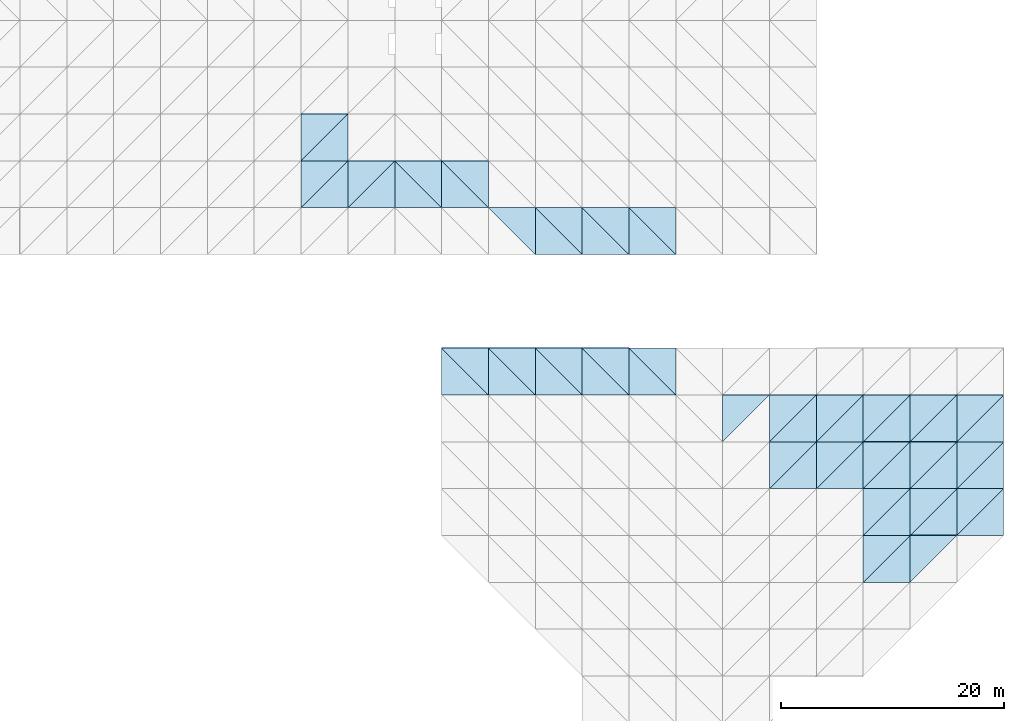
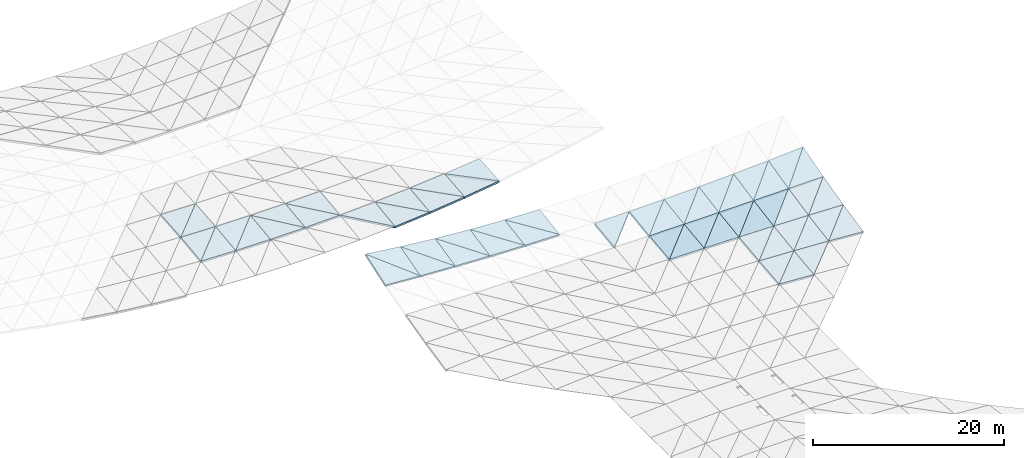
# One storey, part 25 of 64: 57 slabs.
"""IFC4 building model written with IfcOpenShell, lengths in metres."""

from ifc_helpers import new_model, si_unit, direction, frame, origin, place, context, subcontext, project, spatial, polyline, outline, extrude, material, layer, layer_set, type_object, element, save


model = new_model("IFC4")

# Units and contexts
model_context = context("Model", 3, precision=1e-05, world=origin(), true_north=direction((0.0, 1.0)))
body_context = subcontext(model_context, "Body", "Model", "MODEL_VIEW")
ifc_project = project(units=[si_unit("LENGTHUNIT", "METRE"), si_unit("AREAUNIT", "SQUARE_METRE"), si_unit("VOLUMEUNIT", "CUBIC_METRE"), si_unit("PLANEANGLEUNIT", "RADIAN"), si_unit("MASSUNIT", "GRAM", prefix="KILO")], contexts=[model_context])

# Site, building, storey
site_placement = place(None, origin())
site = spatial("IfcSite", under=ifc_project, at=site_placement, CompositionType="ELEMENT")
building_placement = place(site_placement, origin())
building = spatial("IfcBuilding", under=site, at=building_placement, Name="Cumbredor Promenade Congress Hotel", CompositionType="ELEMENT")
storey_placement = place(building_placement, frame((0.0, 0.0, 18.47998046875)))
storey = spatial("IfcBuildingStorey", under=building, at=storey_placement, Name="L05", CompositionType="ELEMENT", Elevation=18.47998046875)

# Slabs
ifc_material = material(Name="Concrete C40/50", Category="concrete")
ifc_layer = layer(ifc_material, 0.25, Name="Concrete C40/50", Category="concrete")
ifc_layer_set = layer_set([ifc_layer], Name="Concrete C40/50")
slab_type = type_object("IfcSlabType", Name="Catenary Space Frame Roof Deck 250mm", PredefinedType="ROOF", material=ifc_layer_set)
slab_1_placement = place(storey_placement, frame((138.60009765625, 67.199951171875, 3.302734375), z_axis=(0.06211809951, -0.31911112182, 0.945679350332), x_axis=(0.997849616578, 0.0, -0.065544966967)))
element("IfcSlab", 1, at=slab_1_placement, inside=storey, type_object=slab_type, Name="Grand Ballroom Pavilion Sweeping Roof Deck Facet 1.17.1", PredefinedType="ROOF", context=body_context, shape_type="SweptSolid", body=[
    extrude(outline(polyline([(0.0, 0.0), (4.20900214029975, 2.7755575615628914e-17), (-0.09289270831139244, 4.431649760600898), (0.0, 0.0)])), origin(), (0.0, 0.0, -1.0), 0.25),
])
slab_2_placement = place(storey_placement, frame((142.800048828125, 67.199951171875, 3.02685546875), z_axis=(0.118242562971, -0.267282671727, 0.956336065249), x_axis=(0.0, 0.963092407715, 0.269170975777)))
element("IfcSlab", 2, at=slab_2_placement, inside=storey, type_object=slab_type, Name="Grand Ballroom Pavilion Sweeping Roof Deck Facet 1.17.2", PredefinedType="ROOF", context=body_context, shape_type="SweptSolid", body=[
    extrude(outline(polyline([(0.0, 0.0), (4.360901548209407, 2.7755575615628914e-17), (4.500678566148418, 4.229623072255176), (0.0, 0.0)])), origin(), (0.0, 0.0, -1.0), 0.25),
])
slab_3_placement = place(storey_placement, frame((142.800048828125, 67.199951171875, 3.02685546875), z_axis=(0.051660124766, -0.268811558307, 0.961806413801), x_axis=(0.998560647635, 0.0, -0.053634252073)))
element("IfcSlab", 3, at=slab_3_placement, inside=storey, type_object=slab_type, Name="Grand Ballroom Pavilion Sweeping Roof Deck Facet 2.17.1", PredefinedType="ROOF", context=body_context, shape_type="SweptSolid", body=[
    extrude(outline(polyline([(0.0, 0.0), (4.206005095257487, -6.938893903907228e-18), (-0.0629573935468049, 4.360447073382843), (0.0, 0.0)])), origin(), (0.0, 0.0, -1.0), 0.25),
])
slab_4_placement = place(storey_placement, frame((147.0, 67.199951171875, 2.80126953125), z_axis=(0.098109442037, -0.224902230425, 0.969429483837), x_axis=(0.0, 0.974129041372, 0.225992501547)))
element("IfcSlab", 4, at=slab_4_placement, inside=storey, type_object=slab_type, Name="Grand Ballroom Pavilion Sweeping Roof Deck Facet 2.17.2", PredefinedType="ROOF", context=body_context, shape_type="SweptSolid", body=[
    extrude(outline(polyline([(0.0, 0.0), (4.311493645605063, 1.3877787807814457e-17), (4.407551493552724, 4.220311510098785), (0.0, 0.0)])), origin(), (0.0, 0.0, -1.0), 0.25),
])
slab_5_placement = place(storey_placement, frame((147.0, 67.199951171875, 2.80126953125), z_axis=(0.040680056233, -0.225805430357, 0.973322680639), x_axis=(0.999127730104, 0.0, -0.041758579198)))
element("IfcSlab", 5, at=slab_5_placement, inside=storey, type_object=slab_type, Name="Grand Ballroom Pavilion Sweeping Roof Deck Facet 3.17.1", PredefinedType="ROOF", context=body_context, shape_type="SweptSolid", body=[
    extrude(outline(polyline([(0.0, 0.0), (4.203617861188373, 6.938893903907228e-18), (-0.04068810780752778, 4.311301651934817), (0.0, 0.0)])), origin(), (0.0, 0.0, -1.0), 0.25),
])
slab_6_placement = place(storey_placement, frame((151.199951171875, 67.199951171875, 2.625732421875), z_axis=(0.077021475836, -0.190904042029, 0.978582310793), x_axis=(0.0, 0.98149791513, 0.191472824692)))
element("IfcSlab", 6, at=slab_6_placement, inside=storey, type_object=slab_type, Name="Grand Ballroom Pavilion Sweeping Roof Deck Facet 3.17.2", PredefinedType="ROOF", context=body_context, shape_type="SweptSolid", body=[
    extrude(outline(polyline([(0.0, 0.0), (4.279123885167755, 0.0), (4.34241836872072, 4.212464575925474), (0.0, 0.0)])), origin(), (0.0, 0.0, -1.0), 0.25),
])
slab_7_placement = place(storey_placement, frame((151.199951171875, 67.199951171875, 2.625732421875), z_axis=(0.029313092974, -0.191390544791, 0.981076144825), x_axis=(0.99955393597, 0.0, -0.029865181834)))
element("IfcSlab", 7, at=slab_7_placement, inside=storey, type_object=slab_type, Name="Grand Ballroom Pavilion Sweeping Roof Deck Facet 4.17.1", PredefinedType="ROOF", context=body_context, shape_type="SweptSolid", body=[
    extrude(outline(polyline([(0.0, 0.0), (4.201825455068936, 0.0), (-0.024469616756497472, 4.279053921425738), (0.0, 0.0)])), origin(), (0.0, 0.0, -1.0), 0.25),
])
slab_8_placement = place(storey_placement, frame((155.39990234375, 67.199951171875, 2.500244140625), z_axis=(0.055342530466, -0.166142053717, 0.984547623179), x_axis=(0.0, 0.986058829557, 0.166397069244)))
element("IfcSlab", 8, at=slab_8_placement, inside=storey, type_object=slab_type, Name="Grand Ballroom Pavilion Sweeping Roof Deck Facet 4.17.2", PredefinedType="ROOF", context=body_context, shape_type="SweptSolid", body=[
    extrude(outline(polyline([(0.0, 0.0), (4.259331234590252, 6.938893903907228e-18), (4.2986149176856845, 4.206397780293135), (0.0, 0.0)])), origin(), (0.0, 0.0, -1.0), 0.25),
])
slab_9_placement = place(storey_placement, frame((155.39990234375, 67.199951171875, 2.500244140625), z_axis=(0.017650477076, -0.166371147608, 0.985905219533), x_axis=(0.99983978315, 0.0, -0.017899944967)))
element("IfcSlab", 9, at=slab_9_placement, inside=storey, type_object=slab_type, Name="Grand Ballroom Pavilion Sweeping Roof Deck Facet 5.17.1", PredefinedType="ROOF", context=body_context, shape_type="SweptSolid", body=[
    extrude(outline(polyline([(0.0, 0.0), (4.200868362394726, -1.734723475976807e-18), (-0.012686411191130705, 4.259312341320745), (0.0, 0.0)])), origin(), (0.0, 0.0, -1.0), 0.25),
])
slab_10_placement = place(storey_placement, frame((159.60009765625, 67.199951171875, 2.425048828125), z_axis=(0.033364758538, -0.151040302528, 0.987964381898), x_axis=(0.0, 0.988514745931, 0.151124442353)))
element("IfcSlab", 10, at=slab_10_placement, inside=storey, type_object=slab_type, Name="Grand Ballroom Pavilion Sweeping Roof Deck Facet 5.17.2", PredefinedType="ROOF", context=body_context, shape_type="SweptSolid", body=[
    extrude(outline(polyline([(0.0, 0.0), (4.248749135166854, 0.0), (4.270185487951792, 4.202535109838022), (0.0, 0.0)])), origin(), (0.0, 0.0, -1.0), 0.25),
])
slab_11_placement = place(storey_placement, frame((163.800048828125, 63.0, 1.857421875), z_axis=(-0.005937895527, -0.128097124871, 0.991743852008), x_axis=(0.703899772334, 0.703899772334, 0.095132649577)))
element("IfcSlab", 11, at=slab_11_placement, inside=storey, type_object=slab_type, Name="Grand Ballroom Pavilion Sweeping Roof Deck Facet 7.16.2", PredefinedType="ROOF", context=body_context, shape_type="SweptSolid", body=[
    extrude(outline(polyline([(0.0, 0.0), (5.966689203417784, 4.996003610813204e-16), (3.007952278033862, 2.9809558866545327), (0.0, 0.0)])), origin(), (0.0, 0.0, -1.0), 0.25),
])
slab_12_placement = place(storey_placement, frame((168.0, 58.800048828125, 1.38134765625), z_axis=(0.007727477115, -0.125542669251, 0.992058125462), x_axis=(0.999969664479, 0.0, -0.007789102775)))
element("IfcSlab", 12, at=slab_12_placement, inside=storey, type_object=slab_type, Name="Grand Ballroom Pavilion Sweeping Roof Deck Facet 8.15.1", PredefinedType="ROOF", context=body_context, shape_type="SweptSolid", body=[
    extrude(outline(polyline([(0.0, 0.0), (4.200078583447668, 0.0), (4.195938720961974, 4.233445255249145), (0.0, 0.0)])), origin(), (0.0, 0.0, -1.0), 0.25),
])
slab_13_placement = place(storey_placement, frame((168.0, 58.800048828125, 1.38134765625), z_axis=(-0.004042524387, -0.113941437366, 0.99347924329), x_axis=(0.704626711716, 0.704626711716, 0.083680309948)))
element("IfcSlab", 13, at=slab_13_placement, inside=storey, type_object=slab_type, Name="Grand Ballroom Pavilion Sweeping Roof Deck Facet 8.15.2", PredefinedType="ROOF", context=body_context, shape_type="SweptSolid", body=[
    extrude(outline(polyline([(0.0, 0.0), (5.96053357336904, 4.85722573273506e-17), (2.9997057063416306, 2.978821956869445), (0.0, 0.0)])), origin(), (0.0, 0.0, -1.0), 0.25),
])
slab_14_placement = place(storey_placement, frame((168.0, 63.0, 1.863037109375), z_axis=(-0.004025384366, -0.146063947006, 0.989266960767), x_axis=(0.999991721487, 0.0, 0.004069024037)))
element("IfcSlab", 14, at=slab_14_placement, inside=storey, type_object=slab_type, Name="Grand Ballroom Pavilion Sweeping Roof Deck Facet 8.16.1", PredefinedType="ROOF", context=body_context, shape_type="SweptSolid", body=[
    extrude(outline(polyline([(0.0, 0.0), (4.1999859415114225, 0.0), (4.2025092132529585, 4.24548334179594), (0.0, 0.0)])), origin(), (0.0, 0.0, -1.0), 0.25),
])
slab_15_placement = place(storey_placement, frame((168.0, 63.0, 1.863037109375), z_axis=(-0.017742887004, -0.132610798325, 0.991009367326), x_axis=(0.703072478188, 0.703072478188, 0.106668555954)))
element("IfcSlab", 15, at=slab_15_placement, inside=storey, type_object=slab_type, Name="Grand Ballroom Pavilion Sweeping Roof Deck Facet 8.16.2", PredefinedType="ROOF", context=body_context, shape_type="SweptSolid", body=[
    extrude(outline(polyline([(0.0, 0.0), (5.973710111224247, -3.5388358909926865e-16), (3.0128190571467397, 2.97965909913197), (0.0, 0.0)])), origin(), (0.0, 0.0, -1.0), 0.25),
])
slab_16_placement = place(storey_placement, frame((172.199951171875, 58.800048828125, 1.3486328125), z_axis=(0.012825240402, -0.144758430906, 0.9893839042), x_axis=(0.999915992778, 0.0, -0.012961766342)))
element("IfcSlab", 16, at=slab_16_placement, inside=storey, type_object=slab_type, Name="Grand Ballroom Pavilion Sweeping Roof Deck Facet 9.15.1", PredefinedType="ROOF", context=body_context, shape_type="SweptSolid", body=[
    extrude(outline(polyline([(0.0, 0.0), (4.20030402774778, 0.0), (4.1923389970143825, 4.244660063516752), (0.0, 0.0)])), origin(), (0.0, 0.0, -1.0), 0.25),
])
slab_17_placement = place(storey_placement, frame((172.199951171875, 58.800048828125, 1.3486328125), z_axis=(-0.006747173413, -0.125543559999, 0.992065164288), x_axis=(0.703984160559, 0.703984160559, 0.093875467321)))
element("IfcSlab", 17, at=slab_17_placement, inside=storey, type_object=slab_type, Name="Grand Ballroom Pavilion Sweeping Roof Deck Facet 9.15.2", PredefinedType="ROOF", context=body_context, shape_type="SweptSolid", body=[
    extrude(outline(polyline([(0.0, 0.0), (5.965973962455887, -1.942890293094024e-16), (3.0065933609497577, 2.9803476692402406), (0.0, 0.0)])), origin(), (0.0, 0.0, -1.0), 0.25),
])
slab_18_placement = place(storey_placement, frame((172.199951171875, 63.0, 1.880126953125), z_axis=(-0.006703986431, -0.168287249121, 0.98571520144), x_axis=(0.999976873054, 0.0, 0.006800982047)))
element("IfcSlab", 18, at=slab_18_placement, inside=storey, type_object=slab_type, Name="Grand Ballroom Pavilion Sweeping Roof Deck Facet 9.16.1", PredefinedType="ROOF", context=body_context, shape_type="SweptSolid", body=[
    extrude(outline(polyline([(0.0, 0.0), (4.200048306164646, -8.673617379884035e-19), (4.204924889238574, 4.260717531491642), (0.0, 0.0)])), origin(), (0.0, 0.0, -1.0), 0.25),
])
slab_19_placement = place(storey_placement, frame((172.199951171875, 63.0, 1.880126953125), z_axis=(-0.029545158149, -0.14600136517, 0.988843104339), x_axis=(0.701600495916, 0.701600495916, 0.124553154364)))
element("IfcSlab", 19, at=slab_19_placement, inside=storey, type_object=slab_type, Name="Grand Ballroom Pavilion Sweeping Roof Deck Facet 9.16.2", PredefinedType="ROOF", context=body_context, shape_type="SweptSolid", body=[
    extrude(outline(polyline([(0.0, 0.0), (5.98624316306131, 5.551115123125783e-17), (3.0239253767872136, 2.979934644919147), (0.0, 0.0)])), origin(), (0.0, 0.0, -1.0), 0.25),
])
slab_20_placement = place(storey_placement, frame((176.39990234375, 50.39990234375, 0.372314453125), z_axis=(0.059193687169, -0.115044400769, 0.991595125669), x_axis=(0.998222976403, 0.0, -0.0595893395)))
element("IfcSlab", 20, at=slab_20_placement, inside=storey, type_object=slab_type, Name="Grand Ballroom Pavilion Sweeping Roof Deck Facet 10.13.1", PredefinedType="ROOF", context=body_context, shape_type="SweptSolid", body=[
    extrude(outline(polyline([(0.0, 0.0), (4.20767244572653, -3.469446951953614e-18), (4.178634281262942, 4.228269540439803), (0.0, 0.0)])), origin(), (0.0, 0.0, -1.0), 0.25),
])
slab_21_placement = place(storey_placement, frame((176.39990234375, 50.39990234375, 0.372314453125), z_axis=(0.040982249468, -0.096993250503, 0.994440930667), x_axis=(0.706546640121, 0.706546640121, 0.039795611153)))
element("IfcSlab", 21, at=slab_21_placement, inside=storey, type_object=slab_type, Name="Grand Ballroom Pavilion Sweeping Roof Deck Facet 10.13.2", PredefinedType="ROOF", context=body_context, shape_type="SweptSolid", body=[
    extrude(outline(polyline([(0.0, 0.0), (5.944682309691317, 1.3530843112619095e-16), (2.9839368730856948, 2.9842233906338667), (0.0, 0.0)])), origin(), (0.0, 0.0, -1.0), 0.25),
])
slab_22_placement = place(storey_placement, frame((176.39990234375, 54.60009765625, 0.781982421875), z_axis=(0.040751093511, -0.143355620727, 0.988831893895), x_axis=(0.999151892623, 0.0, -0.041176394552)))
element("IfcSlab", 22, at=slab_22_placement, inside=storey, type_object=slab_type, Name="Grand Ballroom Pavilion Sweeping Roof Deck Facet 10.14.1", PredefinedType="ROOF", context=body_context, shape_type="SweptSolid", body=[
    extrude(outline(polyline([(0.0, 0.0), (4.203760552836866, 6.938893903907228e-18), (4.178688793068251, 4.243784194473894), (0.0, 0.0)])), origin(), (0.0, 0.0, -1.0), 0.25),
])
slab_23_placement = place(storey_placement, frame((176.39990234375, 54.60009765625, 0.781982421875), z_axis=(0.018056692985, -0.121038798704, 0.992483533892), x_axis=(0.705231798689, 0.705190806374, 0.073171283461)))
element("IfcSlab", 23, at=slab_23_placement, inside=storey, type_object=slab_type, Name="Grand Ballroom Pavilion Sweeping Roof Deck Facet 10.14.2", PredefinedType="ROOF", context=body_context, shape_type="SweptSolid", body=[
    extrude(outline(polyline([(0.0, 0.0), (5.955765636639897, 1.1796119636642288e-16), (2.9992457994990325, 2.9843710431485446), (0.0, 0.0)])), origin(), (0.0, 0.0, -1.0), 0.25),
])
slab_24_placement = place(storey_placement, frame((176.39990234375, 58.800048828125, 1.294189453125), z_axis=(0.017921133264, -0.171434479157, 0.985032513341), x_axis=(0.999834540383, 0.0, -0.018190433105)))
element("IfcSlab", 24, at=slab_24_placement, inside=storey, type_object=slab_type, Name="Grand Ballroom Pavilion Sweeping Roof Deck Facet 10.15.1", PredefinedType="ROOF", context=body_context, shape_type="SweptSolid", body=[
    extrude(outline(polyline([(0.0, 0.0), (4.200890390213838, 3.469446951953614e-18), (4.18759396523419, 4.2630635970802455), (0.0, 0.0)])), origin(), (0.0, 0.0, -1.0), 0.25),
])
slab_25_placement = place(storey_placement, frame((176.39990234375, 58.800048828125, 1.294189453125), z_axis=(-0.009431823337, -0.144763898323, 0.989421272488), x_axis=(0.702872678442, 0.702831823253, 0.109532762782)))
element("IfcSlab", 25, at=slab_25_placement, inside=storey, type_object=slab_type, Name="Grand Ballroom Pavilion Sweeping Roof Deck Facet 10.15.2", PredefinedType="ROOF", context=body_context, shape_type="SweptSolid", body=[
    extrude(outline(polyline([(0.0, 0.0), (5.975755554774357, 6.036837696399289e-16), (3.019167436362351, 2.9835935527041575), (0.0, 0.0)])), origin(), (0.0, 0.0, -1.0), 0.25),
])
slab_26_placement = place(storey_placement, frame((176.39990234375, 63.0, 1.90869140625), z_axis=(-0.009341734827, -0.1989221602, 0.979970768019), x_axis=(0.999954567228, 0.0, 0.009532233726)))
element("IfcSlab", 26, at=slab_26_placement, inside=storey, type_object=slab_type, Name="Grand Ballroom Pavilion Sweeping Roof Deck Facet 10.16.1", PredefinedType="ROOF", context=body_context, shape_type="SweptSolid", body=[
    extrude(outline(polyline([(0.0, 0.0), (4.20038614768605, 0.0), (4.208512749290508, 4.285597584651285), (0.0, 0.0)])), origin(), (0.0, 0.0, -1.0), 0.25),
])
slab_27_placement = place(storey_placement, frame((176.39990234375, 63.0, 1.90869140625), z_axis=(-0.041161619171, -0.168148404543, 0.984901941899), x_axis=(0.699276128643, 0.699235482506, 0.148602274257)))
element("IfcSlab", 27, at=slab_27_placement, inside=storey, type_object=slab_type, Name="Grand Ballroom Pavilion Sweeping Roof Deck Facet 10.16.2", PredefinedType="ROOF", context=body_context, shape_type="SweptSolid", body=[
    extrude(outline(polyline([(0.0, 0.0), (6.006490341165102, 0.0), (3.0433088098270504, 2.9819472081597582), (0.0, 0.0)])), origin(), (0.0, 0.0, -1.0), 0.25),
])
slab_28_placement = place(storey_placement, frame((180.60009765625, 50.39990234375, 0.12158203125), z_axis=(0.052645408579, -0.115086667719, 0.991959434588), x_axis=(0.7063867246, 0.706427786433, 0.044469965863)))
element("IfcSlab", 28, at=slab_28_placement, inside=storey, type_object=slab_type, Name="Grand Ballroom Pavilion Sweeping Roof Deck Facet 11.13.2", PredefinedType="ROOF", context=body_context, shape_type="SweptSolid", body=[
    extrude(outline(polyline([(0.0, 0.0), (5.9456824790336, -2.7755575615628914e-17), (2.9888051000156484, 2.9910116341677613), (0.0, 0.0)])), origin(), (0.0, 0.0, -1.0), 0.25),
])
slab_29_placement = place(storey_placement, frame((180.60009765625, 54.60009765625, 0.60888671875), z_axis=(0.052209220159, -0.17183867095, 0.983740651034), x_axis=(0.99859464216, 0.0, -0.052997553234)))
element("IfcSlab", 29, at=slab_29_placement, inside=storey, type_object=slab_type, Name="Grand Ballroom Pavilion Sweeping Roof Deck Facet 11.14.1", PredefinedType="ROOF", context=body_context, shape_type="SweptSolid", body=[
    extrude(outline(polyline([(0.0, 0.0), (4.205861912887175, 0.0), (4.1669806512979335, 4.263368331034666), (0.0, 0.0)])), origin(), (0.0, 0.0, -1.0), 0.25),
])
slab_30_placement = place(storey_placement, frame((180.60009765625, 54.60009765625, 0.60888671875), z_axis=(0.023120069261, -0.143436449594, 0.989389431582), x_axis=(0.704506982586, 0.704506982586, 0.085672766818)))
element("IfcSlab", 30, at=slab_30_placement, inside=storey, type_object=slab_type, Name="Grand Ballroom Pavilion Sweeping Roof Deck Facet 11.14.2", PredefinedType="ROOF", context=body_context, shape_type="SweptSolid", body=[
    extrude(outline(polyline([(0.0, 0.0), (5.961546550548831, -4.787836793695988e-16), (3.0110599369815705, 2.9906271814301544), (0.0, 0.0)])), origin(), (0.0, 0.0, -1.0), 0.25),
])
slab_31_placement = place(storey_placement, frame((180.60009765625, 58.800048828125, 1.2177734375), z_axis=(0.022864983698, -0.205102316459, 0.978473419314), x_axis=(0.999727079655, 0.0, -0.023361639599)))
element("IfcSlab", 31, at=slab_31_placement, inside=storey, type_object=slab_type, Name="Grand Ballroom Pavilion Sweeping Roof Deck Facet 11.15.1", PredefinedType="ROOF", context=body_context, shape_type="SweptSolid", body=[
    extrude(outline(polyline([(0.0, 0.0), (4.2010977369193006, -3.469446951953614e-18), (4.1805308247137525, 4.291179338010367), (0.0, 0.0)])), origin(), (0.0, 0.0, -1.0), 0.25),
])
slab_32_placement = place(storey_placement, frame((180.60009765625, 58.800048828125, 1.2177734375), z_axis=(-0.012025524242, -0.171449617054, 0.985119493046), x_axis=(0.701053417088, 0.701053417088, 0.130568804764)))
element("IfcSlab", 32, at=slab_32_placement, inside=storey, type_object=slab_type, Name="Grand Ballroom Pavilion Sweeping Roof Deck Facet 11.15.2", PredefinedType="ROOF", context=body_context, shape_type="SweptSolid", body=[
    extrude(outline(polyline([(0.0, 0.0), (5.990914628614645, -2.7755575615628914e-17), (3.03983030655126, 2.9888659613707125), (0.0, 0.0)])), origin(), (0.0, 0.0, -1.0), 0.25),
])
slab_33_placement = place(storey_placement, frame((180.60009765625, 63.0, 1.94873046875), z_axis=(-0.011857071565, -0.237480204781, 0.971320010188), x_axis=(0.999925500788, 0.0, 0.012206263743)))
element("IfcSlab", 33, at=slab_33_placement, inside=storey, type_object=slab_type, Name="Grand Ballroom Pavilion Sweeping Roof Deck Facet 11.16.1", PredefinedType="ROOF", context=body_context, shape_type="SweptSolid", body=[
    extrude(outline(polyline([(0.0, 0.0), (4.200264088241212, 0.0), (4.212798156918393, 4.323640236763272), (0.0, 0.0)])), origin(), (0.0, 0.0, -1.0), 0.25),
])
slab_34_placement = place(storey_placement, frame((180.60009765625, 63.0, 1.94873046875), z_axis=(-0.052565284808, -0.198655816612, 0.978658652115), x_axis=(0.695738314887, 0.695738314887, 0.178595616959)))
element("IfcSlab", 34, at=slab_34_placement, inside=storey, type_object=slab_type, Name="Grand Ballroom Pavilion Sweeping Roof Deck Facet 11.16.2", PredefinedType="ROOF", context=body_context, shape_type="SweptSolid", body=[
    extrude(outline(polyline([(0.0, 0.0), (6.036682301388186, -2.220446049250313e-16), (3.0743266907758686, 2.9857876846161817), (0.0, 0.0)])), origin(), (0.0, 0.0, -1.0), 0.25),
])
slab_35_placement = place(storey_placement, frame((184.800048828125, 54.60009765625, 0.385986328125), z_axis=(0.063292145756, -0.205940721797, 0.976515500845), x_axis=(0.997906149499, 0.0, -0.064678565174)))
element("IfcSlab", 35, at=slab_35_placement, inside=storey, type_object=slab_type, Name="Grand Ballroom Pavilion Sweeping Roof Deck Facet 12.14.1", PredefinedType="ROOF", context=body_context, shape_type="SweptSolid", body=[
    extrude(outline(polyline([(0.0, 0.0), (4.208763693845863, 6.938893903907228e-18), (4.151475160044152, 4.291951431778594), (0.0, 0.0)])), origin(), (0.0, 0.0, -1.0), 0.25),
])
slab_36_placement = place(storey_placement, frame((184.800048828125, 54.60009765625, 0.385986328125), z_axis=(0.028161900128, -0.172005101393, 0.984693430706), x_axis=(0.703364441624, 0.703364441624, 0.102746895414)))
element("IfcSlab", 36, at=slab_36_placement, inside=storey, type_object=slab_type, Name="Grand Ballroom Pavilion Sweeping Roof Deck Facet 12.14.2", PredefinedType="ROOF", context=body_context, shape_type="SweptSolid", body=[
    extrude(outline(polyline([(0.0, 0.0), (5.971230450854324, 1.3877787807814457e-17), (3.0294758081007083, 3.0000162677400013), (0.0, 0.0)])), origin(), (0.0, 0.0, -1.0), 0.25),
])
slab_37_placement = place(storey_placement, frame((184.800048828125, 58.800048828125, 1.11962890625), z_axis=(0.027714787529, -0.245264603454, 0.969059938727), x_axis=(0.999591280357, 0.0, -0.028587973606)))
element("IfcSlab", 37, at=slab_37_placement, inside=storey, type_object=slab_type, Name="Grand Ballroom Pavilion Sweeping Roof Deck Facet 12.15.1", PredefinedType="ROOF", context=body_context, shape_type="SweptSolid", body=[
    extrude(outline(polyline([(0.0, 0.0), (4.2016684763159375, 0.0), (4.171279795388602, 4.332275436797678), (0.0, 0.0)])), origin(), (0.0, 0.0, -1.0), 0.25),
])
slab_38_placement = place(storey_placement, frame((184.800048828125, 58.800048828125, 1.11962890625), z_axis=(-0.014563048847, -0.205134195867, 0.978625505132), x_axis=(0.698362450315, 0.698362450315, 0.156779386335)))
element("IfcSlab", 38, at=slab_38_placement, inside=storey, type_object=slab_type, Name="Grand Ballroom Pavilion Sweeping Roof Deck Facet 12.15.2", PredefinedType="ROOF", context=body_context, shape_type="SweptSolid", body=[
    extrude(outline(polyline([(0.0, 0.0), (6.013999134660538, -2.7755575615628914e-17), (3.0711122314198107, 2.9971507754646565), (0.0, 0.0)])), origin(), (0.0, 0.0, -1.0), 0.25),
])
slab_39_placement = place(storey_placement, frame((184.800048828125, 63.0, 2.0), z_axis=(-0.014270419039, -0.283178627796, 0.958961010626), x_axis=(0.99988929444, 0.0, 0.014879477962)))
element("IfcSlab", 39, at=slab_39_placement, inside=storey, type_object=slab_type, Name="Grand Ballroom Pavilion Sweeping Roof Deck Facet 12.16.1", PredefinedType="ROOF", context=body_context, shape_type="SweptSolid", body=[
    extrude(outline(polyline([(0.0, 0.0), (4.200416181300871, 0.0), (4.218870221351135, 4.379204334062485), (0.0, 0.0)])), origin(), (0.0, 0.0, -1.0), 0.25),
])
slab_40_placement = place(storey_placement, frame((184.800048828125, 63.0, 2.0), z_axis=(-0.063677329507, -0.237014909652, 0.96941690222), x_axis=(0.69068899424, 0.69068899424, 0.21423684667)))
element("IfcSlab", 40, at=slab_40_placement, inside=storey, type_object=slab_type, Name="Grand Ballroom Pavilion Sweeping Roof Deck Facet 12.16.2", PredefinedType="ROOF", context=body_context, shape_type="SweptSolid", body=[
    extrude(outline(polyline([(0.0, 0.0), (6.080813806068643, -3.0531133177191805e-16), (3.1208503283708873, 2.99237618419598), (0.0, 0.0)])), origin(), (0.0, 0.0, -1.0), 0.25),
])
slab_41_placement = place(storey_placement, frame((126.0, 84.0, 0.57275390625), z_axis=(0.029866324427, -0.123674258485, 0.991873318753), x_axis=(0.999546971061, 0.0, -0.03009738598)))
element("IfcSlab", 41, at=slab_41_placement, inside=storey, type_object=slab_type, Name="Pre-Function and Breakout Meeting Forum Sweeping Roof Deck Facet 10.2.1", PredefinedType="ROOF", context=body_context, shape_type="SweptSolid", body=[
    extrude(outline(polyline([(0.0, 0.0), (4.201854733666896, 0.0), (4.186093285198498, 4.232444197340829), (0.0, 0.0)])), origin(), (0.0, 0.0, -1.0), 0.25),
])
slab_42_placement = place(storey_placement, frame((126.0, 84.0, 0.57275390625), z_axis=(0.024006166462, -0.117895668464, 0.992735773169), x_axis=(0.70553084737, 0.70553084737, 0.066726657482)))
element("IfcSlab", 42, at=slab_42_placement, inside=storey, type_object=slab_type, Name="Pre-Function and Breakout Meeting Forum Sweeping Roof Deck Facet 10.2.2", PredefinedType="ROOF", context=body_context, shape_type="SweptSolid", body=[
    extrude(outline(polyline([(0.0, 0.0), (5.952895167562421, 1.457167719820518e-16), (2.996476984507455, 2.9848779396220575), (0.0, 0.0)])), origin(), (0.0, 0.0, -1.0), 0.25),
])
slab_43_placement = place(storey_placement, frame((126.0, 88.199951171875, 1.071533203125), z_axis=(0.02407952249, -0.088677472246, 0.99576929181), x_axis=(0.999707747746, 0.0, -0.024174761557)))
element("IfcSlab", 43, at=slab_43_placement, inside=storey, type_object=slab_type, Name="Pre-Function and Breakout Meeting Forum Sweeping Roof Deck Facet 10.3.1", PredefinedType="ROOF", context=body_context, shape_type="SweptSolid", body=[
    extrude(outline(polyline([(0.0, 0.0), (4.2011789758995555, -1.734723475976807e-18), (4.192137048481322, 4.216562773335891), (0.0, 0.0)])), origin(), (0.0, 0.0, -1.0), 0.25),
])
slab_44_placement = place(storey_placement, frame((126.0, 88.199951171875, 1.071533203125), z_axis=(0.019863140669, -0.084490735382, 0.996226265101), x_axis=(0.706364001027, 0.706364001027, 0.045823532241)))
element("IfcSlab", 44, at=slab_44_placement, inside=storey, type_object=slab_type, Name="Pre-Function and Breakout Meeting Forum Sweeping Roof Deck Facet 10.3.2", PredefinedType="ROOF", context=body_context, shape_type="SweptSolid", body=[
    extrude(outline(polyline([(0.0, 0.0), (5.945873750318935, -2.255140518769849e-16), (2.983016709766241, 2.9779322407057385), (0.0, 0.0)])), origin(), (0.0, 0.0, -1.0), 0.25),
])
slab_45_placement = place(storey_placement, frame((130.199951171875, 84.0, 0.4462890625), z_axis=(0.009976175841, -0.125653682986, 0.992024005691), x_axis=(0.99994943839, 0.0, -0.010055877047)))
element("IfcSlab", 45, at=slab_45_placement, inside=storey, type_object=slab_type, Name="Pre-Function and Breakout Meeting Forum Sweeping Roof Deck Facet 11.2.1", PredefinedType="ROOF", context=body_context, shape_type="SweptSolid", body=[
    extrude(outline(polyline([(0.0, 0.0), (4.200163538905083, -8.673617379884035e-19), (4.194813989079482, 4.233505229196586), (0.0, 0.0)])), origin(), (0.0, 0.0, -1.0), 0.25),
])
slab_46_placement = place(storey_placement, frame((130.199951171875, 84.0, 0.4462890625), z_axis=(0.008017641638, -0.12372547708, 0.992284094271), x_axis=(0.704715278385, 0.704715278385, 0.08217513506)))
element("IfcSlab", 46, at=slab_46_placement, inside=storey, type_object=slab_type, Name="Pre-Function and Breakout Meeting Forum Sweeping Roof Deck Facet 11.2.2", PredefinedType="ROOF", context=body_context, shape_type="SweptSolid", body=[
    extrude(outline(polyline([(0.0, 0.0), (5.959784469979747, 3.0531133177191805e-16), (3.0028033688372116, 2.9827846444156463), (0.0, 0.0)])), origin(), (0.0, 0.0, -1.0), 0.25),
])
slab_47_placement = place(storey_placement, frame((134.39990234375, 84.0, 0.404052734375), z_axis=(-0.009975596023, -0.125653683712, 0.99202401143), x_axis=(0.999949444267, 0.0, 0.010055292598)))
element("IfcSlab", 47, at=slab_47_placement, inside=storey, type_object=slab_type, Name="Pre-Function and Breakout Meeting Forum Sweeping Roof Deck Facet 12.2.1", PredefinedType="ROOF", context=body_context, shape_type="SweptSolid", body=[
    extrude(outline(polyline([(0.0, 0.0), (4.200407667186657, 0.0), (0.005349238909016163, 4.233505229589456), (0.0, 0.0)])), origin(), (0.0, 0.0, -1.0), 0.25),
])
slab_48_placement = place(storey_placement, frame((138.60009765625, 84.0, 0.4462890625), z_axis=(-0.008017175635, -0.123725477543, 0.992284097979), x_axis=(0.0, 0.992315989099, 0.123729453968)))
element("IfcSlab", 48, at=slab_48_placement, inside=storey, type_object=slab_type, Name="Pre-Function and Breakout Meeting Forum Sweeping Roof Deck Facet 12.2.2", PredefinedType="ROOF", context=body_context, shape_type="SweptSolid", body=[
    extrude(outline(polyline([(0.0, 0.0), (4.232473544732664, -8.673617379884035e-19), (4.228274718047705, 4.200330303005127), (0.0, 0.0)])), origin(), (0.0, 0.0, -1.0), 0.25),
])
slab_49_placement = place(storey_placement, frame((138.60009765625, 84.0, 0.4462890625), z_axis=(-0.029866324427, -0.123674258485, 0.991873318753), x_axis=(0.999546971061, 0.0, 0.03009738598)))
element("IfcSlab", 49, at=slab_49_placement, inside=storey, type_object=slab_type, Name="Pre-Function and Breakout Meeting Forum Sweeping Roof Deck Facet 13.2.1", PredefinedType="ROOF", context=body_context, shape_type="SweptSolid", body=[
    extrude(outline(polyline([(0.0, 0.0), (4.201854733666896, 0.0), (0.015761448468397835, 4.232444197340829), (0.0, 0.0)])), origin(), (0.0, 0.0, -1.0), 0.25),
])
slab_50_placement = place(storey_placement, frame((142.800048828125, 84.0, 0.57275390625), z_axis=(-0.024006166462, -0.117895668464, 0.992735773169), x_axis=(0.0, 0.993021951709, 0.117929654557)))
element("IfcSlab", 50, at=slab_50_placement, inside=storey, type_object=slab_type, Name="Pre-Function and Breakout Meeting Forum Sweeping Roof Deck Facet 13.2.2", PredefinedType="ROOF", context=body_context, shape_type="SweptSolid", body=[
    extrude(outline(polyline([(0.0, 0.0), (4.2294645799587105, 0.0), (4.217487349417779, 4.201161902794155), (0.0, 0.0)])), origin(), (0.0, 0.0, -1.0), 0.25),
])
slab_51_placement = place(storey_placement, frame((147.0, 79.800048828125, 0.196044921875), z_axis=(-0.049677874102, -0.138396577503, 0.989130171494), x_axis=(0.0, 0.990352968068, 0.138567668089)))
element("IfcSlab", 51, at=slab_51_placement, inside=storey, type_object=slab_type, Name="Pre-Function and Breakout Meeting Forum Sweeping Roof Deck Facet 14.1.2", PredefinedType="ROOF", context=body_context, shape_type="SweptSolid", body=[
    extrude(outline(polyline([(0.0, 0.0), (4.240862911806096, -3.469446951953614e-18), (4.211633794318528, 4.205143295267277), (0.0, 0.0)])), origin(), (0.0, 0.0, -1.0), 0.25),
])
slab_52_placement = place(storey_placement, frame((147.0, 79.800048828125, 0.196044921875), z_axis=(-0.087000458678, -0.138042257112, 0.986597818486), x_axis=(0.996134471083, 0.0, 0.087841422579)))
element("IfcSlab", 52, at=slab_52_placement, inside=storey, type_object=slab_type, Name="Pre-Function and Breakout Meeting Forum Sweeping Roof Deck Facet 15.1.1", PredefinedType="ROOF", context=body_context, shape_type="SweptSolid", body=[
    extrude(outline(polyline([(0.0, 0.0), (4.216249205099801, 0.0), (0.05161970316125097, 4.240548743143749), (0.0, 0.0)])), origin(), (0.0, 0.0, -1.0), 0.25),
])
slab_53_placement = place(storey_placement, frame((151.199951171875, 79.800048828125, 0.56640625), z_axis=(-0.069591947632, -0.120821751926, 0.990231823911), x_axis=(0.0, 0.992638434688, 0.121115391177)))
element("IfcSlab", 53, at=slab_53_placement, inside=storey, type_object=slab_type, Name="Pre-Function and Breakout Meeting Forum Sweeping Roof Deck Facet 15.1.2", PredefinedType="ROOF", context=body_context, shape_type="SweptSolid", body=[
    extrude(outline(polyline([(0.0, 0.0), (4.231098681157206, -6.938893903907228e-18), (4.195349533712757, 4.2101585268694), (0.0, 0.0)])), origin(), (0.0, 0.0, -1.0), 0.25),
])
slab_54_placement = place(storey_placement, frame((151.199951171875, 79.800048828125, 0.56640625), z_axis=(-0.111755687436, -0.120356689547, 0.986420262164), x_axis=(0.993643341415, 0.0, 0.11257402037)))
element("IfcSlab", 54, at=slab_54_placement, inside=storey, type_object=slab_type, Name="Pre-Function and Breakout Meeting Forum Sweeping Roof Deck Facet 16.1.1", PredefinedType="ROOF", context=body_context, shape_type="SweptSolid", body=[
    extrude(outline(polyline([(0.0, 0.0), (4.226819621107889, 0.0), (0.05768868866105445, 4.230705386208169), (0.0, 0.0)])), origin(), (0.0, 0.0, -1.0), 0.25),
])
slab_55_placement = place(storey_placement, frame((155.39990234375, 79.800048828125, 1.042236328125), z_axis=(-0.089588796915, -0.098230803049, 0.991122876741), x_axis=(0.0, 0.995124432433, 0.098627399715)))
element("IfcSlab", 55, at=slab_55_placement, inside=storey, type_object=slab_type, Name="Pre-Function and Breakout Meeting Forum Sweeping Roof Deck Facet 16.1.2", PredefinedType="ROOF", context=body_context, shape_type="SweptSolid", body=[
    extrude(outline(polyline([(0.0, 0.0), (4.220528644448746, 0.0), (4.183085869410427, 4.216908038588775), (0.0, 0.0)])), origin(), (0.0, 0.0, -1.0), 0.25),
])
slab_56_placement = place(storey_placement, frame((155.39990234375, 79.800048828125, 1.042236328125), z_axis=(-0.136547890512, -0.097703603302, 0.985803570443), x_axis=(0.990542765342, 0.0, 0.137204336771)))
element("IfcSlab", 56, at=slab_56_placement, inside=storey, type_object=slab_type, Name="Pre-Function and Breakout Meeting Forum Sweeping Roof Deck Facet 17.1.1", PredefinedType="ROOF", context=body_context, shape_type="SweptSolid", body=[
    extrude(outline(polyline([(0.0, 0.0), (4.24029679430366, 0.0), (0.05711264506706626, 4.220142199545628), (0.0, 0.0)])), origin(), (0.0, 0.0, -1.0), 0.25),
])
slab_57_placement = place(storey_placement, frame((159.60009765625, 79.800048828125, 1.6240234375), z_axis=(-0.109555928507, -0.070486422484, 0.991478271458), x_axis=(0.0, 0.997482484736, 0.070913275524)))
element("IfcSlab", 57, at=slab_57_placement, inside=storey, type_object=slab_type, Name="Pre-Function and Breakout Meeting Forum Sweeping Roof Deck Facet 17.1.2", PredefinedType="ROOF", context=body_context, shape_type="SweptSolid", body=[
    extrude(outline(polyline([(0.0, 0.0), (4.210551299041426, 0.0), (4.177639644556494, 4.225630936444875), (0.0, 0.0)])), origin(), (0.0, 0.0, -1.0), 0.25),
])

save(model, "model.ifc")
